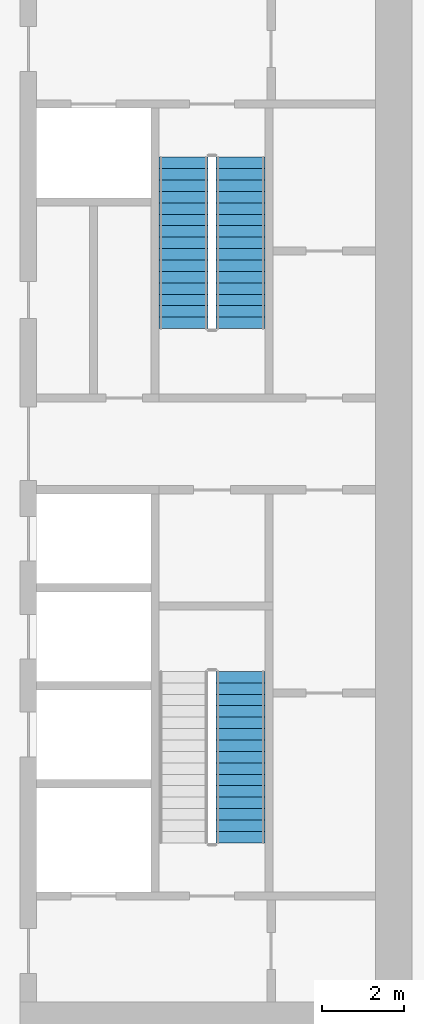
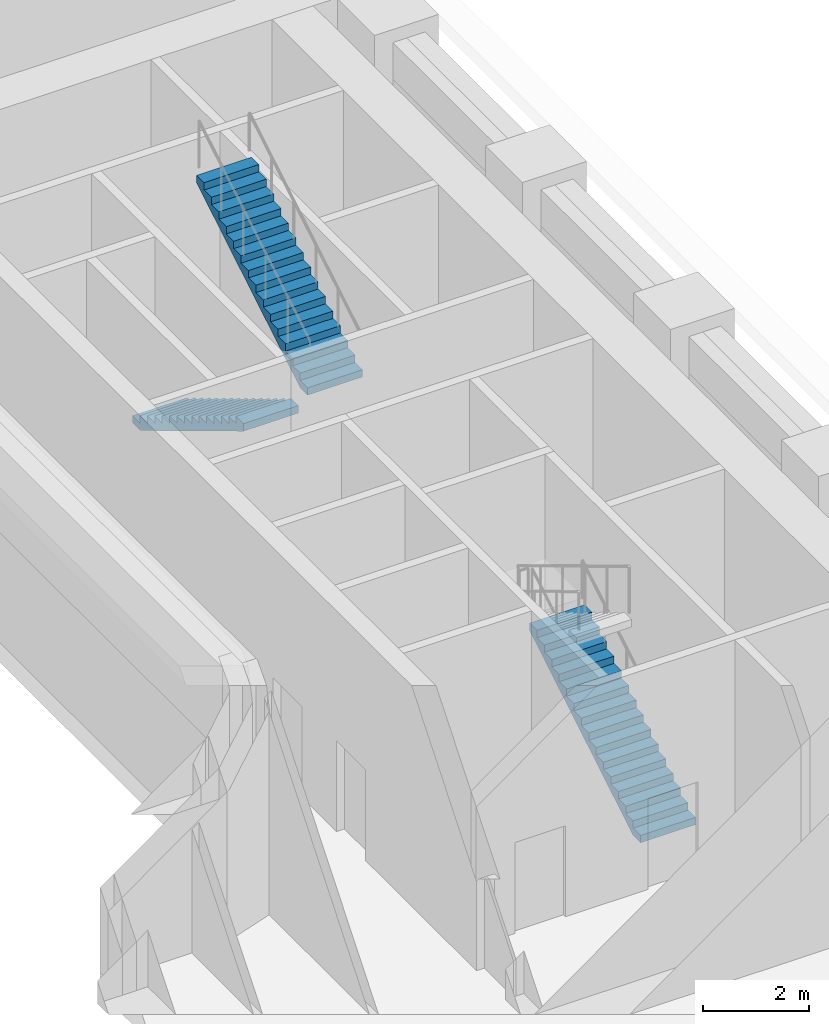
# One storey, part 7 of 14: 3 stair flights, 2 elements without a shape of their own.
"""IFC4 building model written with IfcOpenShell, lengths in metres."""

from ifc_helpers import new_model, si_unit, direction, frame, origin, place, context, subcontext, project, spatial, polyline, outline, extrude, material, type_object, element, aggregate, save


model = new_model("IFC4")

# Units and contexts
model_context = context("Model", 3, precision=1e-05, world=origin(), true_north=direction((0.0, 1.0)))
body_context = subcontext(model_context, "Body", "Model", "MODEL_VIEW")
ifc_project = project(units=[si_unit("LENGTHUNIT", "METRE"), si_unit("AREAUNIT", "SQUARE_METRE"), si_unit("VOLUMEUNIT", "CUBIC_METRE"), si_unit("PLANEANGLEUNIT", "RADIAN"), si_unit("MASSUNIT", "GRAM", prefix="KILO")], contexts=[model_context])

# Site, building, storey
site_placement = place(None, origin())
site = spatial("IfcSite", under=ifc_project, at=site_placement, CompositionType="ELEMENT")
building_placement = place(site_placement, origin())
building = spatial("IfcBuilding", under=site, at=building_placement, Name="Kiln Ring Residences", CompositionType="ELEMENT")
storey_placement = place(building_placement, frame((0.0, 0.0, 77.89990234375)))
storey = spatial("IfcBuildingStorey", under=building, at=storey_placement, Name="L19", CompositionType="ELEMENT", Elevation=77.89990234375)

# Stair, stair flights
ifc_material_1 = material(Name="Concrete C40/50", Category="concrete")
stair_type = type_object("IfcStairType", Name="CORE-STAIR", PredefinedType="HALF_TURN_STAIR", material=ifc_material_1)
placement = place(storey_placement, origin())
stair_1 = element("IfcStair", 1, at=placement, inside=storey, type_object=stair_type, Name="L19 stair E-STN", PredefinedType="HALF_TURN_STAIR")
ifc_material_2 = material(Name="Concrete C40/50", Category="concrete")
stair_flight_type = type_object("IfcStairFlightType", Name="CORE-STAIR-FLIGHT", PredefinedType="STRAIGHT", material=ifc_material_2)
stair_flight_1_placement = place(storey_placement, frame((21.39990234375, 8.39990234375, 0.0), z_axis=(0.0, 0.0, 1.0), x_axis=(0.0, -1.0, 0.0)))
stair_flight_1 = element("IfcStairFlight", 2, at=stair_flight_1_placement, type_object=stair_flight_type, Name="E-STN flight 1", NumberOfRisers=16, NumberOfTreads=15, PredefinedType="STRAIGHT", RiserHeight=0.16875, TreadLength=0.28, context=body_context, shape_type="SweptSolid", body=[
    extrude(outline(polyline([(0.0, 0.0), (0.0, 0.168701171875), (0.280029296875, 0.168701171875), (0.280029296875, 0.33740234375), (0.56005859375, 0.33740234375), (0.56005859375, 0.50634765625), (0.840087890625, 0.50634765625), (0.840087890625, 0.675048828125), (1.1201171875, 0.675048828125), (1.1201171875, 0.84375), (1.39990234375, 0.84375), (1.39990234375, 1.012451171875), (1.679931640625, 1.012451171875), (1.679931640625, 1.18115234375), (1.9599609375, 1.18115234375), (1.9599609375, 1.35009765625), (2.239990234375, 1.35009765625), (2.239990234375, 1.518798828125), (2.52001953125, 1.518798828125), (2.52001953125, 1.6875), (2.800048828125, 1.6875), (2.800048828125, 1.856201171875), (3.080078125, 1.856201171875), (3.080078125, 2.02490234375), (3.360107421875, 2.02490234375), (3.360107421875, 2.19384765625), (3.639892578125, 2.19384765625), (3.639892578125, 2.362548828125), (3.919921875, 2.362548828125), (3.919921875, 2.53125), (4.199951171875, 2.53125), (4.199951171875, 2.699951171875), (4.199951171875, 2.356201171875), (0.29052734375, 0.0), (0.0, 0.0)])), frame((0.0, 0.60009765625, 0.0), z_axis=(0.0, -1.0, 0.0), x_axis=(1.0, 0.0, 0.0)), (0.0, 0.0, 1.0), 1.199951171875),
])
stair_flight_2_placement = place(storey_placement, frame((22.800048828125, 4.199951171875, 2.7001953125), z_axis=(0.0, 0.0, 1.0), x_axis=(0.0, 1.0, 0.0)))
stair_flight_2 = element("IfcStairFlight", 3, at=stair_flight_2_placement, type_object=stair_flight_type, Name="E-STN flight 2", NumberOfRisers=16, NumberOfTreads=15, PredefinedType="STRAIGHT", RiserHeight=0.16875, TreadLength=0.28, context=body_context, shape_type="SweptSolid", body=[
    extrude(outline(polyline([(0.0, 0.0), (0.0, 0.168701171875), (0.280029296875, 0.168701171875), (0.280029296875, 0.33740234375), (0.56005859375, 0.33740234375), (0.56005859375, 0.50634765625), (0.840087890625, 0.50634765625), (0.840087890625, 0.675048828125), (1.1201171875, 0.675048828125), (1.1201171875, 0.84375), (1.39990234375, 0.84375), (1.39990234375, 1.012451171875), (1.679931640625, 1.012451171875), (1.679931640625, 1.18115234375), (1.9599609375, 1.18115234375), (1.9599609375, 1.35009765625), (2.239990234375, 1.35009765625), (2.239990234375, 1.518798828125), (2.52001953125, 1.518798828125), (2.52001953125, 1.6875), (2.800048828125, 1.6875), (2.800048828125, 1.856201171875), (3.080078125, 1.856201171875), (3.080078125, 2.02490234375), (3.360107421875, 2.02490234375), (3.360107421875, 2.19384765625), (3.639892578125, 2.19384765625), (3.639892578125, 2.362548828125), (3.919921875, 2.362548828125), (3.919921875, 2.53125), (4.199951171875, 2.53125), (4.199951171875, 2.699951171875), (4.199951171875, 2.356201171875), (0.29052734375, 0.0), (0.0, 0.0)])), frame((0.0, 0.60009765625, 0.0), z_axis=(0.0, -1.0, 0.0), x_axis=(1.0, 0.0, 0.0)), (0.0, 0.0, 1.0), 1.199951171875),
])
aggregate(stair_1, [stair_flight_1, stair_flight_2])

# Stair, stair flight
stair_2 = element("IfcStair", 4, at=placement, inside=storey, type_object=stair_type, Name="L19 stair E-STS", PredefinedType="HALF_TURN_STAIR")
stair_flight_3_placement = place(storey_placement, frame((22.800048828125, -8.39990234375, 0.0), z_axis=(0.0, 0.0, 1.0), x_axis=(0.0, 1.0, 0.0)))
stair_flight_3 = element("IfcStairFlight", 5, at=stair_flight_3_placement, type_object=stair_flight_type, Name="E-STS flight 1", NumberOfRisers=16, NumberOfTreads=15, PredefinedType="STRAIGHT", RiserHeight=0.16875, TreadLength=0.28, context=body_context, shape_type="SweptSolid", body=[
    extrude(outline(polyline([(0.0, 0.0), (0.0, 0.168701171875), (0.280029296875, 0.168701171875), (0.280029296875, 0.33740234375), (0.56005859375, 0.33740234375), (0.56005859375, 0.50634765625), (0.840087890625, 0.50634765625), (0.840087890625, 0.675048828125), (1.1201171875, 0.675048828125), (1.1201171875, 0.84375), (1.39990234375, 0.84375), (1.39990234375, 1.012451171875), (1.679931640625, 1.012451171875), (1.679931640625, 1.18115234375), (1.9599609375, 1.18115234375), (1.9599609375, 1.35009765625), (2.239990234375, 1.35009765625), (2.239990234375, 1.518798828125), (2.52001953125, 1.518798828125), (2.52001953125, 1.6875), (2.800048828125, 1.6875), (2.800048828125, 1.856201171875), (3.080078125, 1.856201171875), (3.080078125, 2.02490234375), (3.360107421875, 2.02490234375), (3.360107421875, 2.19384765625), (3.639892578125, 2.19384765625), (3.639892578125, 2.362548828125), (3.919921875, 2.362548828125), (3.919921875, 2.53125), (4.199951171875, 2.53125), (4.199951171875, 2.699951171875), (4.199951171875, 2.356201171875), (0.29052734375, 0.0), (0.0, 0.0)])), frame((0.0, 0.60009765625, 0.0), z_axis=(0.0, -1.0, 0.0), x_axis=(1.0, 0.0, 0.0)), (0.0, 0.0, 1.0), 1.199951171875),
])
aggregate(stair_2, [stair_flight_3])

save(model, "model.ifc")
